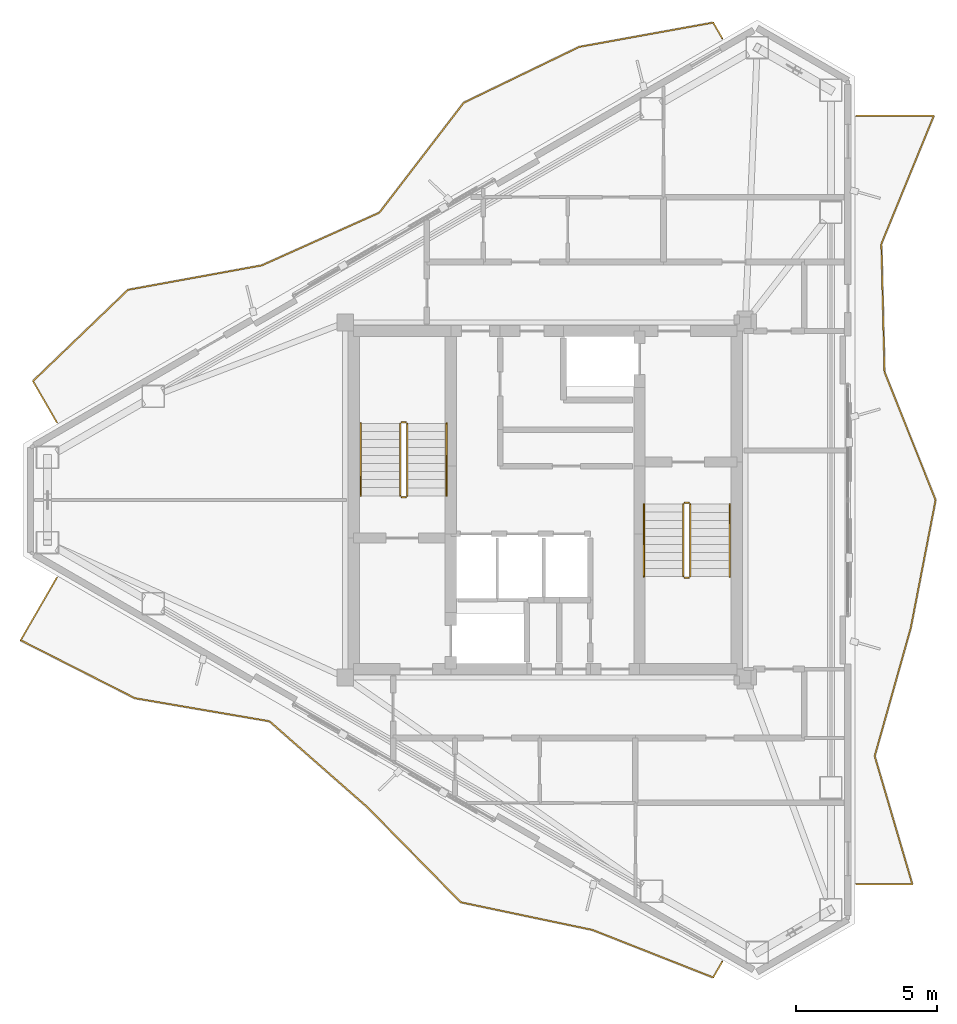
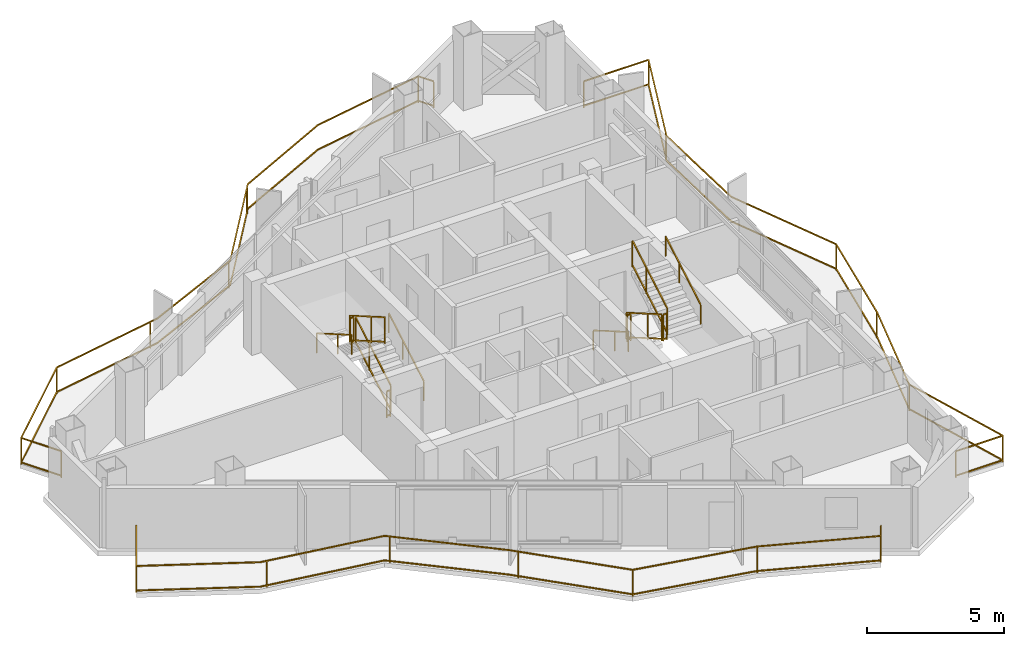
# One storey, part 18 of 18: 15 railings.
"""IFC4 building model written with IfcOpenShell, lengths in metres."""

from ifc_helpers import new_model, si_unit, direction, frame, origin, origin_2d, place, context, subcontext, project, spatial, rectangle, extrude, material, type_object, element, save


model = new_model("IFC4")

# Units and contexts
model_context = context("Model", 3, precision=1e-05, world=origin(), true_north=direction((0.0, 1.0)))
body_context = subcontext(model_context, "Body", "Model", "MODEL_VIEW")
ifc_project = project(units=[si_unit("LENGTHUNIT", "METRE"), si_unit("AREAUNIT", "SQUARE_METRE"), si_unit("VOLUMEUNIT", "CUBIC_METRE"), si_unit("PLANEANGLEUNIT", "RADIAN"), si_unit("MASSUNIT", "GRAM", prefix="KILO")], contexts=[model_context])

# Site, building, storey
site_placement = place(None, origin())
site = spatial("IfcSite", under=ifc_project, at=site_placement, CompositionType="ELEMENT")
building_placement = place(site_placement, origin())
building = spatial("IfcBuilding", under=site, at=building_placement, Name="Mersakhor Tower and Convention Hall", CompositionType="ELEMENT")
storey_placement = place(building_placement, frame((0.0, 0.0, 229.800048828125)))
storey = spatial("IfcBuildingStorey", under=building, at=storey_placement, Name="L64", CompositionType="ELEMENT", Elevation=229.800048828125)

# Railings
ifc_material_1 = material(Name="Powder-coated galvanised steel and laminated glass balustrade", Category="steel")
railing_type_1 = type_object("IfcRailingType", Name="RL-BAL-1200", PredefinedType="BALUSTRADE", material=ifc_material_1)
railing_1_placement = place(storey_placement, frame((35.287841796875, 43.13134765625, 0.0)))
element("IfcRailing", 1, at=railing_1_placement, inside=storey, type_object=railing_type_1, Name="L64 Sinusoidal Balcony Balustrade F1", PredefinedType="BALUSTRADE", context=body_context, shape_type="SweptSolid", body=[
    extrude(rectangle(XDim=0.048095703125, YDim=0.048095703125, at=origin_2d()), frame((0.0, 0.0, 1.17578125), z_axis=(-0.49989585183, 0.866085525409, 0.0), x_axis=(-0.866085525409, -0.49989585183, 0.0)), (0.0, 0.0, 1.0), 0.650146484375),
    extrude(rectangle(XDim=0.048095703125, YDim=0.048095703125, at=origin_2d()), frame((0.0, 0.0, 0.080078125), z_axis=(-0.49989585183, 0.866085525409, 0.0), x_axis=(-0.866085525409, -0.49989585183, 0.0)), (0.0, 0.0, 1.0), 0.650146484375),
    extrude(rectangle(XDim=0.048095703125, YDim=0.048095703125, at=origin_2d()), frame((-0.324951171875, 0.56298828125, 1.17578125), z_axis=(-0.983974090578, -0.178311494501, 0.0), x_axis=(0.178311494501, -0.983974090578, 0.0)), (0.0, 0.0, 1.0), 4.8291015625),
    extrude(rectangle(XDim=0.048095703125, YDim=0.048095703125, at=origin_2d()), frame((-0.324951171875, 0.56298828125, 0.080078125), z_axis=(-0.983974090578, -0.178311494501, 0.0), x_axis=(0.178311494501, -0.983974090578, 0.0)), (0.0, 0.0, 1.0), 4.8291015625),
    extrude(rectangle(XDim=0.048095703125, YDim=0.048095703125, at=origin_2d()), frame((-5.07666015625, -0.298095703125, 1.17578125), z_axis=(-0.900356998495, -0.435152013969, 0.0), x_axis=(0.435152013969, -0.900356998495, 0.0)), (0.0, 0.0, 1.0), 4.557373046875),
    extrude(rectangle(XDim=0.048095703125, YDim=0.048095703125, at=origin_2d()), frame((-5.07666015625, -0.298095703125, 0.080078125), z_axis=(-0.900356998495, -0.435152013969, 0.0), x_axis=(0.435152013969, -0.900356998495, 0.0)), (0.0, 0.0, 1.0), 4.557373046875),
    extrude(rectangle(XDim=0.048095703125, YDim=0.048095703125, at=origin_2d()), frame((-9.179931640625, -2.28125, 1.17578125), z_axis=(-0.608760683058, -0.793353912678, 0.0), x_axis=(0.793353912678, -0.608760683058, 0.0)), (0.0, 0.0, 1.0), 4.919921875),
    extrude(rectangle(XDim=0.048095703125, YDim=0.048095703125, at=origin_2d()), frame((-9.179931640625, -2.28125, 0.080078125), z_axis=(-0.608760683058, -0.793353912678, 0.0), x_axis=(0.793353912678, -0.608760683058, 0.0)), (0.0, 0.0, 1.0), 4.919921875),
    extrude(rectangle(XDim=0.048095703125, YDim=0.048095703125, at=origin_2d()), frame((-12.175048828125, -6.1845703125, 1.17578125), z_axis=(-0.912493505234, -0.409091191431, 0.0), x_axis=(0.409091191431, -0.912493505234, 0.0)), (0.0, 0.0, 1.0), 4.569091796875),
    extrude(rectangle(XDim=0.048095703125, YDim=0.048095703125, at=origin_2d()), frame((-12.175048828125, -6.1845703125, 0.080078125), z_axis=(-0.912493505234, -0.409091191431, 0.0), x_axis=(0.409091191431, -0.912493505234, 0.0)), (0.0, 0.0, 1.0), 4.569091796875),
    extrude(rectangle(XDim=0.048095703125, YDim=0.048095703125, at=origin_2d()), frame((-16.34423828125, -8.0537109375, 1.17578125), z_axis=(-0.983716582888, -0.17972669404, 0.0), x_axis=(0.17972669404, -0.983716582888, 0.0)), (0.0, 0.0, 1.0), 4.826416015625),
    extrude(rectangle(XDim=0.048095703125, YDim=0.048095703125, at=origin_2d()), frame((-16.34423828125, -8.0537109375, 0.080078125), z_axis=(-0.983716582888, -0.17972669404, 0.0), x_axis=(0.17972669404, -0.983716582888, 0.0)), (0.0, 0.0, 1.0), 4.826416015625),
    extrude(rectangle(XDim=0.048095703125, YDim=0.048095703125, at=origin_2d()), frame((-21.092041015625, -8.921142578125, 1.17578125), z_axis=(-0.72125182687, -0.69267294031, 0.0), x_axis=(0.69267294031, -0.72125182687, 0.0)), (0.0, 0.0, 1.0), 4.681396484375),
    extrude(rectangle(XDim=0.048095703125, YDim=0.048095703125, at=origin_2d()), frame((-21.092041015625, -8.921142578125, 0.080078125), z_axis=(-0.72125182687, -0.69267294031, 0.0), x_axis=(0.69267294031, -0.72125182687, 0.0)), (0.0, 0.0, 1.0), 4.681396484375),
    extrude(rectangle(XDim=0.048095703125, YDim=0.048095703125, at=origin_2d()), frame((-24.468505859375, -12.163818359375, 1.17578125), z_axis=(0.500062241894, -0.865989465428, 0.0), x_axis=(0.865989465428, 0.500062241894, 0.0)), (0.0, 0.0, 1.0), 1.699951171875),
    extrude(rectangle(XDim=0.048095703125, YDim=0.048095703125, at=origin_2d()), frame((-24.468505859375, -12.163818359375, 0.080078125), z_axis=(0.500062241894, -0.865989465428, 0.0), x_axis=(0.865989465428, 0.500062241894, 0.0)), (0.0, 0.0, 1.0), 1.699951171875),
    extrude(rectangle(XDim=0.0419921875, YDim=0.0419921875, at=origin_2d()), origin(), (0.0, 0.0, 1.0), 1.15185546875),
    extrude(rectangle(XDim=0.0419921875, YDim=0.0419921875, at=origin_2d()), frame((-0.324951171875, 0.56298828125, 0.0)), (0.0, 0.0, 1.0), 1.15185546875),
    extrude(rectangle(XDim=0.0419921875, YDim=0.0419921875, at=origin_2d()), frame((-9.309814453125, -2.45068359375, 0.0)), (0.0, 0.0, 1.0), 1.15185546875),
    extrude(rectangle(XDim=0.0419921875, YDim=0.0419921875, at=origin_2d()), frame((-12.26025390625, -6.222900390625, 0.0)), (0.0, 0.0, 1.0), 1.15185546875),
    extrude(rectangle(XDim=0.0419921875, YDim=0.0419921875, at=origin_2d()), frame((-16.663330078125, -8.112060546875, 0.0)), (0.0, 0.0, 1.0), 1.15185546875),
    extrude(rectangle(XDim=0.0419921875, YDim=0.0419921875, at=origin_2d()), frame((-21.092041015625, -8.921142578125, 0.0)), (0.0, 0.0, 1.0), 1.15185546875),
    extrude(rectangle(XDim=0.0419921875, YDim=0.0419921875, at=origin_2d()), frame((-24.468505859375, -12.163818359375, 0.0)), (0.0, 0.0, 1.0), 1.15185546875),
    extrude(rectangle(XDim=0.0419921875, YDim=0.0419921875, at=origin_2d()), frame((-23.618408203125, -13.635986328125, 0.0)), (0.0, 0.0, 1.0), 1.15185546875),
])
railing_2_placement = place(storey_placement, frame((40.042724609375, 13.114013671875, 0.0)))
element("IfcRailing", 2, at=railing_2_placement, inside=storey, type_object=railing_type_1, Name="L64 Sinusoidal Balcony Balustrade F2", PredefinedType="BALUSTRADE", context=body_context, shape_type="SweptSolid", body=[
    extrude(rectangle(XDim=0.048095703125, YDim=0.048095703125, at=origin_2d()), frame((0.0, 0.0, 1.17578125), z_axis=(1.0, 0.0, 0.0), x_axis=(0.0, 1.0, 0.0)), (0.0, 0.0, 1.0), 1.985107421875),
    extrude(rectangle(XDim=0.048095703125, YDim=0.048095703125, at=origin_2d()), frame((0.0, 0.0, 0.080078125), z_axis=(1.0, 0.0, 0.0), x_axis=(0.0, 1.0, 0.0)), (0.0, 0.0, 1.0), 1.985107421875),
    extrude(rectangle(XDim=0.048095703125, YDim=0.048095703125, at=origin_2d()), frame((1.985107421875, 0.0, 1.17578125), z_axis=(-0.28180636317, 0.959471299038, 0.0), x_axis=(-0.959471299038, -0.28180636317, 0.0)), (0.0, 0.0, 1.0), 4.737060546875),
    extrude(rectangle(XDim=0.048095703125, YDim=0.048095703125, at=origin_2d()), frame((1.985107421875, 0.0, 0.080078125), z_axis=(-0.28180636317, 0.959471299038, 0.0), x_axis=(-0.959471299038, -0.28180636317, 0.0)), (0.0, 0.0, 1.0), 4.737060546875),
    extrude(rectangle(XDim=0.048095703125, YDim=0.048095703125, at=origin_2d()), frame((0.650146484375, 4.545166015625, 1.17578125), z_axis=(0.270874341806, 0.962614715736, 0.0), x_axis=(-0.962614715736, 0.270874341806, 0.0)), (0.0, 0.0, 1.0), 4.721923828125),
    extrude(rectangle(XDim=0.048095703125, YDim=0.048095703125, at=origin_2d()), frame((0.650146484375, 4.545166015625, 0.080078125), z_axis=(0.270874341806, 0.962614715736, 0.0), x_axis=(-0.962614715736, 0.270874341806, 0.0)), (0.0, 0.0, 1.0), 4.721923828125),
    extrude(rectangle(XDim=0.048095703125, YDim=0.048095703125, at=origin_2d()), frame((1.92919921875, 9.090576171875, 1.17578125), z_axis=(0.190708774621, 0.98164665908, 0.0), x_axis=(-0.98164665908, 0.190708774621, 0.0)), (0.0, 0.0, 1.0), 4.63037109375),
    extrude(rectangle(XDim=0.048095703125, YDim=0.048095703125, at=origin_2d()), frame((1.92919921875, 9.090576171875, 0.080078125), z_axis=(0.190708774621, 0.98164665908, 0.0), x_axis=(-0.98164665908, 0.190708774621, 0.0)), (0.0, 0.0, 1.0), 4.63037109375),
    extrude(rectangle(XDim=0.048095703125, YDim=0.048095703125, at=origin_2d()), frame((2.812255859375, 13.635986328125, 1.17578125), z_axis=(-0.370650873736, 0.92877227015, 0.0), x_axis=(-0.92877227015, -0.370650873736, 0.0)), (0.0, 0.0, 1.0), 4.89404296875),
    extrude(rectangle(XDim=0.048095703125, YDim=0.048095703125, at=origin_2d()), frame((2.812255859375, 13.635986328125, 0.080078125), z_axis=(-0.370650873736, 0.92877227015, 0.0), x_axis=(-0.92877227015, -0.370650873736, 0.0)), (0.0, 0.0, 1.0), 4.89404296875),
    extrude(rectangle(XDim=0.048095703125, YDim=0.048095703125, at=origin_2d()), frame((0.998291015625, 18.181396484375, 1.17578125), z_axis=(-0.02464607229, 0.999696239425, 0.0), x_axis=(-0.999696239425, -0.02464607229, 0.0)), (0.0, 0.0, 1.0), 4.546875),
    extrude(rectangle(XDim=0.048095703125, YDim=0.048095703125, at=origin_2d()), frame((0.998291015625, 18.181396484375, 0.080078125), z_axis=(-0.02464607229, 0.999696239425, 0.0), x_axis=(-0.999696239425, -0.02464607229, 0.0)), (0.0, 0.0, 1.0), 4.546875),
    extrude(rectangle(XDim=0.048095703125, YDim=0.048095703125, at=origin_2d()), frame((0.88623046875, 22.726806640625, 1.17578125), z_axis=(0.379056669193, 0.925373460577, 0.0), x_axis=(-0.925373460577, 0.379056669193, 0.0)), (0.0, 0.0, 1.0), 4.91162109375),
    extrude(rectangle(XDim=0.048095703125, YDim=0.048095703125, at=origin_2d()), frame((0.88623046875, 22.726806640625, 0.080078125), z_axis=(0.379056669193, 0.925373460577, 0.0), x_axis=(-0.925373460577, 0.379056669193, 0.0)), (0.0, 0.0, 1.0), 4.91162109375),
    extrude(rectangle(XDim=0.048095703125, YDim=0.048095703125, at=origin_2d()), frame((2.748046875, 27.27197265625, 1.17578125), z_axis=(-1.0, 0.0, 0.0), x_axis=(0.0, -1.0, 0.0)), (0.0, 0.0, 1.0), 2.748046875),
    extrude(rectangle(XDim=0.048095703125, YDim=0.048095703125, at=origin_2d()), frame((2.748046875, 27.27197265625, 0.080078125), z_axis=(-1.0, 0.0, 0.0), x_axis=(0.0, -1.0, 0.0)), (0.0, 0.0, 1.0), 2.748046875),
    extrude(rectangle(XDim=0.0419921875, YDim=0.0419921875, at=origin_2d()), origin(), (0.0, 0.0, 1.0), 1.15185546875),
    extrude(rectangle(XDim=0.0419921875, YDim=0.0419921875, at=origin_2d()), frame((1.985107421875, 0.0, 0.0)), (0.0, 0.0, 1.0), 1.15185546875),
    extrude(rectangle(XDim=0.0419921875, YDim=0.0419921875, at=origin_2d()), frame((0.650146484375, 4.545166015625, 0.0)), (0.0, 0.0, 1.0), 1.15185546875),
    extrude(rectangle(XDim=0.0419921875, YDim=0.0419921875, at=origin_2d()), frame((1.944091796875, 9.167236328125, 0.0)), (0.0, 0.0, 1.0), 1.15185546875),
    extrude(rectangle(XDim=0.0419921875, YDim=0.0419921875, at=origin_2d()), frame((2.812255859375, 13.635986328125, 0.0)), (0.0, 0.0, 1.0), 1.15185546875),
    extrude(rectangle(XDim=0.0419921875, YDim=0.0419921875, at=origin_2d()), frame((0.946533203125, 22.8740234375, 0.0)), (0.0, 0.0, 1.0), 1.15185546875),
    extrude(rectangle(XDim=0.0419921875, YDim=0.0419921875, at=origin_2d()), frame((2.748046875, 27.27197265625, 0.0)), (0.0, 0.0, 1.0), 1.15185546875),
    extrude(rectangle(XDim=0.0419921875, YDim=0.0419921875, at=origin_2d()), frame((0.0, 27.27197265625, 0.0)), (0.0, 0.0, 1.0), 1.15185546875),
])
railing_3_placement = place(storey_placement, frame((11.66943359375, 24.004638671875, 0.0)))
element("IfcRailing", 3, at=railing_3_placement, inside=storey, type_object=railing_type_1, Name="L64 Sinusoidal Balcony Balustrade F3", PredefinedType="BALUSTRADE", context=body_context, shape_type="SweptSolid", body=[
    extrude(rectangle(XDim=0.048095703125, YDim=0.048095703125, at=origin_2d()), frame((0.0, 0.0, 1.17578125), z_axis=(-0.499982269985, -0.866035639972, 0.0), x_axis=(0.866035639972, -0.499982269985, 0.0)), (0.0, 0.0, 1.0), 2.57568359375),
    extrude(rectangle(XDim=0.048095703125, YDim=0.048095703125, at=origin_2d()), frame((0.0, 0.0, 0.080078125), z_axis=(-0.499982269985, -0.866035639972, 0.0), x_axis=(0.866035639972, -0.499982269985, 0.0)), (0.0, 0.0, 1.0), 2.57568359375),
    extrude(rectangle(XDim=0.048095703125, YDim=0.048095703125, at=origin_2d()), frame((-1.287841796875, -2.230712890625, 1.17578125), z_axis=(0.891805288763, -0.45241941485, 0.0), x_axis=(0.45241941485, 0.891805288763, 0.0)), (0.0, 0.0, 1.0), 4.5517578125),
    extrude(rectangle(XDim=0.048095703125, YDim=0.048095703125, at=origin_2d()), frame((-1.287841796875, -2.230712890625, 0.080078125), z_axis=(0.891805288763, -0.45241941485, 0.0), x_axis=(0.45241941485, 0.891805288763, 0.0)), (0.0, 0.0, 1.0), 4.5517578125),
    extrude(rectangle(XDim=0.048095703125, YDim=0.048095703125, at=origin_2d()), frame((2.771484375, -4.2900390625, 1.17578125), z_axis=(0.985645977109, -0.168825376676, 0.0), x_axis=(0.168825376676, 0.985645977109, 0.0)), (0.0, 0.0, 1.0), 4.845947265625),
    extrude(rectangle(XDim=0.048095703125, YDim=0.048095703125, at=origin_2d()), frame((2.771484375, -4.2900390625, 0.080078125), z_axis=(0.985645977109, -0.168825376676, 0.0), x_axis=(0.168825376676, 0.985645977109, 0.0)), (0.0, 0.0, 1.0), 4.845947265625),
    extrude(rectangle(XDim=0.048095703125, YDim=0.048095703125, at=origin_2d()), frame((7.5478515625, -5.108154296875, 1.17578125), z_axis=(0.751472710783, -0.659764173739, 0.0), x_axis=(0.659764173739, 0.751472710783, 0.0)), (0.0, 0.0, 1.0), 4.634765625),
    extrude(rectangle(XDim=0.048095703125, YDim=0.048095703125, at=origin_2d()), frame((7.5478515625, -5.108154296875, 0.080078125), z_axis=(0.751472710783, -0.659764173739, 0.0), x_axis=(0.659764173739, 0.751472710783, 0.0)), (0.0, 0.0, 1.0), 4.634765625),
    extrude(rectangle(XDim=0.048095703125, YDim=0.048095703125, at=origin_2d()), frame((11.03076171875, -8.166015625, 1.17578125), z_axis=(0.700477966831, -0.71367402782, 0.0), x_axis=(0.71367402782, 0.700477966831, 0.0)), (0.0, 0.0, 1.0), 4.7177734375),
    extrude(rectangle(XDim=0.048095703125, YDim=0.048095703125, at=origin_2d()), frame((11.03076171875, -8.166015625, 0.080078125), z_axis=(0.700477966831, -0.71367402782, 0.0), x_axis=(0.71367402782, 0.700477966831, 0.0)), (0.0, 0.0, 1.0), 4.7177734375),
    extrude(rectangle(XDim=0.048095703125, YDim=0.048095703125, at=origin_2d()), frame((14.33544921875, -11.532958984375, 1.17578125), z_axis=(0.978634190921, -0.20560914464, 0.0), x_axis=(0.20560914464, 0.978634190921, 0.0)), (0.0, 0.0, 1.0), 4.782958984375),
    extrude(rectangle(XDim=0.048095703125, YDim=0.048095703125, at=origin_2d()), frame((14.33544921875, -11.532958984375, 0.080078125), z_axis=(0.978634190921, -0.20560914464, 0.0), x_axis=(0.20560914464, 0.978634190921, 0.0)), (0.0, 0.0, 1.0), 4.782958984375),
    extrude(rectangle(XDim=0.048095703125, YDim=0.048095703125, at=origin_2d()), frame((19.01611328125, -12.516357421875, 1.17578125), z_axis=(0.930423762619, -0.366485500332, 0.0), x_axis=(0.366485500332, 0.930423762619, 0.0)), (0.0, 0.0, 1.0), 4.595947265625),
    extrude(rectangle(XDim=0.048095703125, YDim=0.048095703125, at=origin_2d()), frame((19.01611328125, -12.516357421875, 0.080078125), z_axis=(0.930423762619, -0.366485500332, 0.0), x_axis=(0.366485500332, 0.930423762619, 0.0)), (0.0, 0.0, 1.0), 4.595947265625),
    extrude(rectangle(XDim=0.048095703125, YDim=0.048095703125, at=origin_2d()), frame((23.292236328125, -14.20068359375, 1.17578125), z_axis=(0.500165322679, 0.865929933649, 0.0), x_axis=(-0.865929933649, 0.500165322679, 0.0)), (0.0, 0.0, 1.0), 0.652099609375),
    extrude(rectangle(XDim=0.048095703125, YDim=0.048095703125, at=origin_2d()), frame((23.292236328125, -14.20068359375, 0.080078125), z_axis=(0.500165322679, 0.865929933649, 0.0), x_axis=(-0.865929933649, 0.500165322679, 0.0)), (0.0, 0.0, 1.0), 0.652099609375),
    extrude(rectangle(XDim=0.0419921875, YDim=0.0419921875, at=origin_2d()), origin(), (0.0, 0.0, 1.0), 1.15185546875),
    extrude(rectangle(XDim=0.0419921875, YDim=0.0419921875, at=origin_2d()), frame((-1.287841796875, -2.230712890625, 0.0)), (0.0, 0.0, 1.0), 1.15185546875),
    extrude(rectangle(XDim=0.0419921875, YDim=0.0419921875, at=origin_2d()), frame((3.01611328125, -4.33203125, 0.0)), (0.0, 0.0, 1.0), 1.15185546875),
    extrude(rectangle(XDim=0.0419921875, YDim=0.0419921875, at=origin_2d()), frame((7.699951171875, -5.24169921875, 0.0)), (0.0, 0.0, 1.0), 1.15185546875),
    extrude(rectangle(XDim=0.0419921875, YDim=0.0419921875, at=origin_2d()), frame((11.2880859375, -8.42822265625, 0.0)), (0.0, 0.0, 1.0), 1.15185546875),
    extrude(rectangle(XDim=0.0419921875, YDim=0.0419921875, at=origin_2d()), frame((14.33544921875, -11.532958984375, 0.0)), (0.0, 0.0, 1.0), 1.15185546875),
    extrude(rectangle(XDim=0.0419921875, YDim=0.0419921875, at=origin_2d()), frame((19.031982421875, -12.522705078125, 0.0)), (0.0, 0.0, 1.0), 1.15185546875),
    extrude(rectangle(XDim=0.0419921875, YDim=0.0419921875, at=origin_2d()), frame((23.292236328125, -14.20068359375, 0.0)), (0.0, 0.0, 1.0), 1.15185546875),
    extrude(rectangle(XDim=0.0419921875, YDim=0.0419921875, at=origin_2d()), frame((23.618408203125, -13.635986328125, 0.0)), (0.0, 0.0, 1.0), 1.15185546875),
])
ifc_material_2 = material(Name="Brushed stainless steel handrail", Category="steel")
railing_type_2 = type_object("IfcRailingType", Name="RL-HR-900", PredefinedType="HANDRAIL", material=ifc_material_2)
railing_4_placement = place(storey_placement, frame((25.5, 26.89990234375, 0.1650390625)))
element("IfcRailing", 4, at=railing_4_placement, inside=storey, type_object=railing_type_2, Name="L64 ST-1 stair handrail 1", PredefinedType="HANDRAIL", context=body_context, shape_type="SweptSolid", body=[
    extrude(rectangle(XDim=0.048095703125, YDim=0.048095703125, at=origin_2d()), frame((0.0, 0.0, 0.8759765625), z_axis=(0.0, 0.865461999751, 0.500974577186), x_axis=(-1.0, 0.0, 0.0)), (0.0, 0.0, 1.0), 2.9638671875),
    extrude(rectangle(XDim=0.0419921875, YDim=0.0419921875, at=origin_2d()), origin(), (0.0, 0.0, 1.0), 0.851806640625),
    extrude(rectangle(XDim=0.0419921875, YDim=0.0419921875, at=origin_2d()), frame((0.0, 1.557861328125, 0.90185546875)), (0.0, 0.0, 1.0), 0.851806640625),
    extrude(rectangle(XDim=0.0419921875, YDim=0.0419921875, at=origin_2d()), frame((0.0, 2.565185546875, 1.48486328125)), (0.0, 0.0, 1.0), 0.851806640625),
])
railing_5_placement = place(storey_placement, frame((22.449951171875, 29.465087890625, 1.81494140625)))
element("IfcRailing", 5, at=railing_5_placement, inside=storey, type_object=railing_type_2, Name="L64 ST-1 stair handrail 2", PredefinedType="HANDRAIL", context=body_context, shape_type="SweptSolid", body=[
    extrude(rectangle(XDim=0.048095703125, YDim=0.048095703125, at=origin_2d()), frame((0.0, 0.0, 0.8759765625), z_axis=(0.0, -0.865426285481, 0.501036270542), x_axis=(1.0, 0.0, 0.0)), (0.0, 0.0, 1.0), 2.964111328125),
    extrude(rectangle(XDim=0.0419921875, YDim=0.0419921875, at=origin_2d()), origin(), (0.0, 0.0, 1.0), 0.851806640625),
    extrude(rectangle(XDim=0.0419921875, YDim=0.0419921875, at=origin_2d()), frame((0.0, -1.557861328125, 0.90185546875)), (0.0, 0.0, 1.0), 0.851806640625),
    extrude(rectangle(XDim=0.0419921875, YDim=0.0419921875, at=origin_2d()), frame((0.0, -2.565185546875, 1.485107421875)), (0.0, 0.0, 1.0), 0.851806640625),
])
railing_6_placement = place(storey_placement, frame((32.5, 26.60009765625, 0.1650390625)))
element("IfcRailing", 6, at=railing_6_placement, inside=storey, type_object=railing_type_2, Name="L64 ST-2 stair handrail 1", PredefinedType="HANDRAIL", context=body_context, shape_type="SweptSolid", body=[
    extrude(rectangle(XDim=0.048095703125, YDim=0.048095703125, at=origin_2d()), frame((0.0, 0.0, 0.8759765625), z_axis=(0.0, -0.865461999751, 0.500974577186), x_axis=(1.0, 0.0, 0.0)), (0.0, 0.0, 1.0), 2.9638671875),
    extrude(rectangle(XDim=0.0419921875, YDim=0.0419921875, at=origin_2d()), origin(), (0.0, 0.0, 1.0), 0.851806640625),
    extrude(rectangle(XDim=0.0419921875, YDim=0.0419921875, at=origin_2d()), frame((0.0, -1.557861328125, 0.90185546875)), (0.0, 0.0, 1.0), 0.851806640625),
    extrude(rectangle(XDim=0.0419921875, YDim=0.0419921875, at=origin_2d()), frame((0.0, -2.565185546875, 1.48486328125)), (0.0, 0.0, 1.0), 0.851806640625),
])
railing_7_placement = place(storey_placement, frame((35.550048828125, 24.034912109375, 1.81494140625)))
element("IfcRailing", 7, at=railing_7_placement, inside=storey, type_object=railing_type_2, Name="L64 ST-2 stair handrail 2", PredefinedType="HANDRAIL", context=body_context, shape_type="SweptSolid", body=[
    extrude(rectangle(XDim=0.048095703125, YDim=0.048095703125, at=origin_2d()), frame((0.0, 0.0, 0.8759765625), z_axis=(0.0, 0.865426285481, 0.501036270542), x_axis=(-1.0, 0.0, 0.0)), (0.0, 0.0, 1.0), 2.964111328125),
    extrude(rectangle(XDim=0.0419921875, YDim=0.0419921875, at=origin_2d()), origin(), (0.0, 0.0, 1.0), 0.851806640625),
    extrude(rectangle(XDim=0.0419921875, YDim=0.0419921875, at=origin_2d()), frame((0.0, 1.557861328125, 0.90185546875)), (0.0, 0.0, 1.0), 0.851806640625),
    extrude(rectangle(XDim=0.0419921875, YDim=0.0419921875, at=origin_2d()), frame((0.0, 2.565185546875, 1.485107421875)), (0.0, 0.0, 1.0), 0.851806640625),
])
ifc_material_3 = material(Name="Painted steel stair balustrade S355", Category="steel")
railing_type_3 = type_object("IfcRailingType", Name="RL-STG-1200", PredefinedType="BALUSTRADE", material=ifc_material_3)
railing_8_placement = place(storey_placement, frame((24.10009765625, 26.89990234375, 0.1650390625)))
element("IfcRailing", 8, at=railing_8_placement, inside=storey, type_object=railing_type_3, Name="L64 ST-1 stair guard 1", PredefinedType="BALUSTRADE", context=body_context, shape_type="SweptSolid", body=[
    extrude(rectangle(XDim=0.048095703125, YDim=0.048095703125, at=origin_2d()), frame((0.0, 0.0, 1.17578125), z_axis=(0.0, 0.865461999751, 0.500974577186), x_axis=(-1.0, 0.0, 0.0)), (0.0, 0.0, 1.0), 2.9638671875),
    extrude(rectangle(XDim=0.048095703125, YDim=0.048095703125, at=origin_2d()), frame((0.0, 0.0, 0.080078125), z_axis=(0.0, 0.865461999751, 0.500974577186), x_axis=(-1.0, 0.0, 0.0)), (0.0, 0.0, 1.0), 2.9638671875),
    extrude(rectangle(XDim=0.0419921875, YDim=0.0419921875, at=origin_2d()), origin(), (0.0, 0.0, 1.0), 1.15185546875),
    extrude(rectangle(XDim=0.0419921875, YDim=0.0419921875, at=origin_2d()), frame((0.0, 1.557861328125, 0.90185546875)), (0.0, 0.0, 1.0), 1.15185546875),
    extrude(rectangle(XDim=0.0419921875, YDim=0.0419921875, at=origin_2d()), frame((0.0, 2.565185546875, 1.48486328125)), (0.0, 0.0, 1.0), 1.15185546875),
])
railing_9_placement = place(storey_placement, frame((24.050048828125, 29.514892578125, 1.64990234375)))
element("IfcRailing", 9, at=railing_9_placement, inside=storey, type_object=railing_type_3, Name="L64 ST-1 stair guard 2", PredefinedType="BALUSTRADE", context=body_context, shape_type="SweptSolid", body=[
    extrude(rectangle(XDim=0.048095703125, YDim=0.048095703125, at=origin_2d()), frame((0.0, 0.0, 1.17578125), z_axis=(-1.0, 0.0, 0.0), x_axis=(0.0, -1.0, 0.0)), (0.0, 0.0, 1.0), 0.150146484375),
    extrude(rectangle(XDim=0.048095703125, YDim=0.048095703125, at=origin_2d()), frame((0.0, 0.0, 0.080078125), z_axis=(-1.0, 0.0, 0.0), x_axis=(0.0, -1.0, 0.0)), (0.0, 0.0, 1.0), 0.150146484375),
    extrude(rectangle(XDim=0.0419921875, YDim=0.0419921875, at=origin_2d()), origin(), (0.0, 0.0, 1.0), 1.15185546875),
    extrude(rectangle(XDim=0.0419921875, YDim=0.0419921875, at=origin_2d()), frame((-0.150146484375, 0.0, 0.0)), (0.0, 0.0, 1.0), 1.15185546875),
])
railing_10_placement = place(storey_placement, frame((23.85009765625, 29.465087890625, 1.81494140625)))
element("IfcRailing", 10, at=railing_10_placement, inside=storey, type_object=railing_type_3, Name="L64 ST-1 stair guard 3", PredefinedType="BALUSTRADE", context=body_context, shape_type="SweptSolid", body=[
    extrude(rectangle(XDim=0.048095703125, YDim=0.048095703125, at=origin_2d()), frame((0.0, 0.0, 1.17578125), z_axis=(0.0, -0.865426285481, 0.501036270542), x_axis=(1.0, 0.0, 0.0)), (0.0, 0.0, 1.0), 2.964111328125),
    extrude(rectangle(XDim=0.048095703125, YDim=0.048095703125, at=origin_2d()), frame((0.0, 0.0, 0.080078125), z_axis=(0.0, -0.865426285481, 0.501036270542), x_axis=(1.0, 0.0, 0.0)), (0.0, 0.0, 1.0), 2.964111328125),
    extrude(rectangle(XDim=0.0419921875, YDim=0.0419921875, at=origin_2d()), origin(), (0.0, 0.0, 1.0), 1.15185546875),
    extrude(rectangle(XDim=0.0419921875, YDim=0.0419921875, at=origin_2d()), frame((0.0, -1.557861328125, 0.90185546875)), (0.0, 0.0, 1.0), 1.15185546875),
    extrude(rectangle(XDim=0.0419921875, YDim=0.0419921875, at=origin_2d()), frame((0.0, -2.565185546875, 1.485107421875)), (0.0, 0.0, 1.0), 1.15185546875),
])
railing_11_placement = place(storey_placement, frame((24.050048828125, 26.85009765625, 0.0)))
element("IfcRailing", 11, at=railing_11_placement, inside=storey, type_object=railing_type_3, Name="L64 ST-1 stair guard 4", PredefinedType="BALUSTRADE", context=body_context, shape_type="SweptSolid", body=[
    extrude(rectangle(XDim=0.048095703125, YDim=0.048095703125, at=origin_2d()), frame((0.0, 0.0, 1.17578125), z_axis=(-1.0, 0.0, 0.0), x_axis=(0.0, -1.0, 0.0)), (0.0, 0.0, 1.0), 0.150146484375),
    extrude(rectangle(XDim=0.048095703125, YDim=0.048095703125, at=origin_2d()), frame((0.0, 0.0, 0.080078125), z_axis=(-1.0, 0.0, 0.0), x_axis=(0.0, -1.0, 0.0)), (0.0, 0.0, 1.0), 0.150146484375),
    extrude(rectangle(XDim=0.0419921875, YDim=0.0419921875, at=origin_2d()), origin(), (0.0, 0.0, 1.0), 1.15185546875),
    extrude(rectangle(XDim=0.0419921875, YDim=0.0419921875, at=origin_2d()), frame((-0.150146484375, 0.0, 0.0)), (0.0, 0.0, 1.0), 1.15185546875),
])
railing_12_placement = place(storey_placement, frame((33.89990234375, 26.60009765625, 0.1650390625)))
element("IfcRailing", 12, at=railing_12_placement, inside=storey, type_object=railing_type_3, Name="L64 ST-2 stair guard 1", PredefinedType="BALUSTRADE", context=body_context, shape_type="SweptSolid", body=[
    extrude(rectangle(XDim=0.048095703125, YDim=0.048095703125, at=origin_2d()), frame((0.0, 0.0, 1.17578125), z_axis=(0.0, -0.865461999751, 0.500974577186), x_axis=(1.0, 0.0, 0.0)), (0.0, 0.0, 1.0), 2.9638671875),
    extrude(rectangle(XDim=0.048095703125, YDim=0.048095703125, at=origin_2d()), frame((0.0, 0.0, 0.080078125), z_axis=(0.0, -0.865461999751, 0.500974577186), x_axis=(1.0, 0.0, 0.0)), (0.0, 0.0, 1.0), 2.9638671875),
    extrude(rectangle(XDim=0.0419921875, YDim=0.0419921875, at=origin_2d()), origin(), (0.0, 0.0, 1.0), 1.15185546875),
    extrude(rectangle(XDim=0.0419921875, YDim=0.0419921875, at=origin_2d()), frame((0.0, -1.557861328125, 0.90185546875)), (0.0, 0.0, 1.0), 1.15185546875),
    extrude(rectangle(XDim=0.0419921875, YDim=0.0419921875, at=origin_2d()), frame((0.0, -2.565185546875, 1.48486328125)), (0.0, 0.0, 1.0), 1.15185546875),
])
railing_13_placement = place(storey_placement, frame((33.949951171875, 23.985107421875, 1.64990234375)))
element("IfcRailing", 13, at=railing_13_placement, inside=storey, type_object=railing_type_3, Name="L64 ST-2 stair guard 2", PredefinedType="BALUSTRADE", context=body_context, shape_type="SweptSolid", body=[
    extrude(rectangle(XDim=0.048095703125, YDim=0.048095703125, at=origin_2d()), frame((0.0, 0.0, 1.17578125), z_axis=(1.0, 0.0, 0.0), x_axis=(0.0, 1.0, 0.0)), (0.0, 0.0, 1.0), 0.150146484375),
    extrude(rectangle(XDim=0.048095703125, YDim=0.048095703125, at=origin_2d()), frame((0.0, 0.0, 0.080078125), z_axis=(1.0, 0.0, 0.0), x_axis=(0.0, 1.0, 0.0)), (0.0, 0.0, 1.0), 0.150146484375),
    extrude(rectangle(XDim=0.0419921875, YDim=0.0419921875, at=origin_2d()), origin(), (0.0, 0.0, 1.0), 1.15185546875),
    extrude(rectangle(XDim=0.0419921875, YDim=0.0419921875, at=origin_2d()), frame((0.150146484375, 0.0, 0.0)), (0.0, 0.0, 1.0), 1.15185546875),
])
railing_14_placement = place(storey_placement, frame((34.14990234375, 24.034912109375, 1.81494140625)))
element("IfcRailing", 14, at=railing_14_placement, inside=storey, type_object=railing_type_3, Name="L64 ST-2 stair guard 3", PredefinedType="BALUSTRADE", context=body_context, shape_type="SweptSolid", body=[
    extrude(rectangle(XDim=0.048095703125, YDim=0.048095703125, at=origin_2d()), frame((0.0, 0.0, 1.17578125), z_axis=(0.0, 0.865426285481, 0.501036270542), x_axis=(-1.0, 0.0, 0.0)), (0.0, 0.0, 1.0), 2.964111328125),
    extrude(rectangle(XDim=0.048095703125, YDim=0.048095703125, at=origin_2d()), frame((0.0, 0.0, 0.080078125), z_axis=(0.0, 0.865426285481, 0.501036270542), x_axis=(-1.0, 0.0, 0.0)), (0.0, 0.0, 1.0), 2.964111328125),
    extrude(rectangle(XDim=0.0419921875, YDim=0.0419921875, at=origin_2d()), origin(), (0.0, 0.0, 1.0), 1.15185546875),
    extrude(rectangle(XDim=0.0419921875, YDim=0.0419921875, at=origin_2d()), frame((0.0, 1.557861328125, 0.90185546875)), (0.0, 0.0, 1.0), 1.15185546875),
    extrude(rectangle(XDim=0.0419921875, YDim=0.0419921875, at=origin_2d()), frame((0.0, 2.565185546875, 1.485107421875)), (0.0, 0.0, 1.0), 1.15185546875),
])
railing_15_placement = place(storey_placement, frame((33.949951171875, 26.64990234375, 0.0)))
element("IfcRailing", 15, at=railing_15_placement, inside=storey, type_object=railing_type_3, Name="L64 ST-2 stair guard 4", PredefinedType="BALUSTRADE", context=body_context, shape_type="SweptSolid", body=[
    extrude(rectangle(XDim=0.048095703125, YDim=0.048095703125, at=origin_2d()), frame((0.0, 0.0, 1.17578125), z_axis=(1.0, 0.0, 0.0), x_axis=(0.0, 1.0, 0.0)), (0.0, 0.0, 1.0), 0.150146484375),
    extrude(rectangle(XDim=0.048095703125, YDim=0.048095703125, at=origin_2d()), frame((0.0, 0.0, 0.080078125), z_axis=(1.0, 0.0, 0.0), x_axis=(0.0, 1.0, 0.0)), (0.0, 0.0, 1.0), 0.150146484375),
    extrude(rectangle(XDim=0.0419921875, YDim=0.0419921875, at=origin_2d()), origin(), (0.0, 0.0, 1.0), 1.15185546875),
    extrude(rectangle(XDim=0.0419921875, YDim=0.0419921875, at=origin_2d()), frame((0.150146484375, 0.0, 0.0)), (0.0, 0.0, 1.0), 1.15185546875),
])

save(model, "model.ifc")
